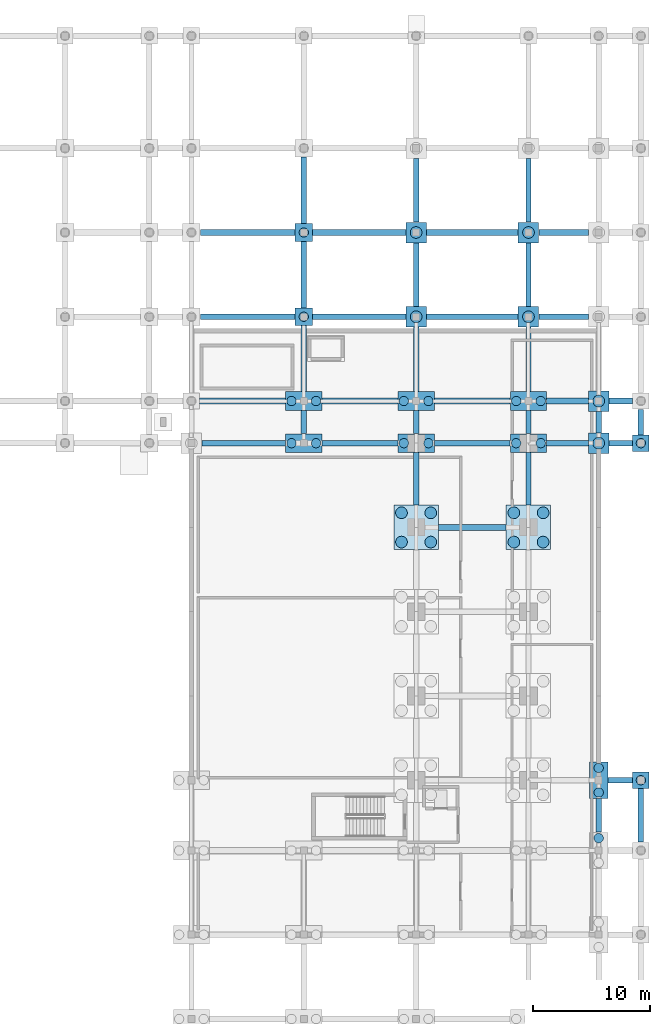
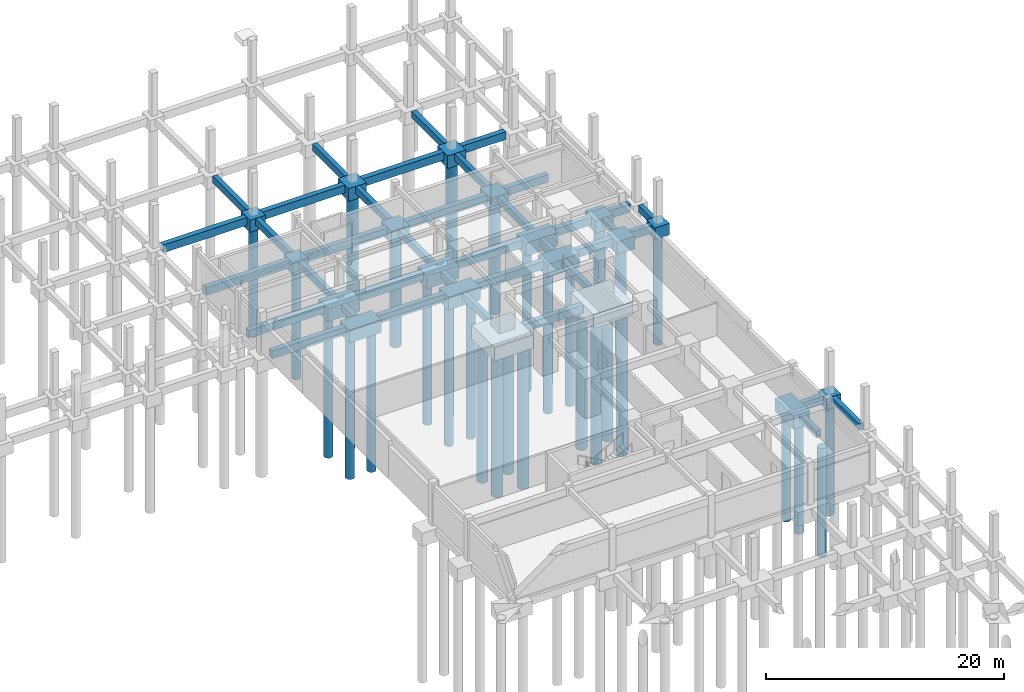
# One storey, part 10 of 20: 57 footings, 33 piles.
"""IFC4 building model written with IfcOpenShell, lengths in metres."""

import ifcopenshell
import ifcopenshell.guid

model = None  # the IFC model being written
_history = None  # IfcOwnerHistory: only IFC2X3 demands one
_inside = {}  # id of a spatial element -> (the spatial element, [elements in it])
_under = {}  # id of a project, library or spatial element -> (it, [spatial elements below it])
_declared = {}  # id of a project -> (the project, [libraries it declares])
_typed = {}  # id of a type object -> (the type object, [elements of that type])
_made_of = {}  # id of a material, layer set ... -> (it, [elements and type objects made of it])


def new_model(schema):
    """Start an empty IFC model of exactly this schema.

    Asked for "IFC4X3", IfcOpenShell would pick the latest addendum, in which some entities
    have other attributes; the version numbers below select the first issue.
    IFC2X3 requires an IfcOwnerHistory on every rooted entity: one is made here for all.
    """
    global model, _history
    if schema == "IFC4X3":
        model = ifcopenshell.file(schema_version=(4, 3, 0, 0))
    else:
        model = ifcopenshell.file(schema=schema)
    _inside.clear()
    _under.clear()
    _declared.clear()
    _typed.clear()
    _made_of.clear()
    _history = None
    if model.schema == "IFC2X3":
        org = make("IfcOrganization", Name="unknown")
        user = make(
            "IfcPersonAndOrganization",
            ThePerson=make("IfcPerson", FamilyName="unknown"),
            TheOrganization=org,
        )
        app = make(
            "IfcApplication",
            ApplicationDeveloper=org,
            Version="unknown",
            ApplicationFullName="unknown",
            ApplicationIdentifier="unknown",
        )
        _history = make(
            "IfcOwnerHistory",
            OwningUser=user,
            OwningApplication=app,
            ChangeAction="ADDED",
            CreationDate=0,
        )
    return model


def make(cls, **values):
    """One entity of the class cls with the attributes given. An attribute that is None is left unset."""
    return model.create_entity(
        cls, **{name: value for name, value in values.items() if value is not None}
    )


def rooted(cls, **values):
    """An entity with a GlobalId (a new one), such as an element, a storey or a relation."""
    return make(cls, GlobalId=ifcopenshell.guid.new(), OwnerHistory=_history, **values)


def si_unit(unit_type, name, prefix=None):
    """IfcSIUnit, for example si_unit("LENGTHUNIT", "METRE", prefix="MILLI")."""
    return make("IfcSIUnit", UnitType=unit_type, Prefix=prefix, Name=name)


def assignment(units):
    """IfcUnitAssignment: the units of a project."""
    return None if units is None else make("IfcUnitAssignment", Units=units)


def point(xyz):
    """IfcCartesianPoint."""
    return None if xyz is None else make("IfcCartesianPoint", Coordinates=xyz)


def direction(xyz):
    """IfcDirection."""
    return None if xyz is None else make("IfcDirection", DirectionRatios=xyz)


def frame(location, z_axis=None, x_axis=None):
    """IfcAxis2Placement3D, a coordinate frame: its origin and axes. An axis left out is left unset."""
    return make(
        "IfcAxis2Placement3D",
        Location=point(location),
        Axis=direction(z_axis),
        RefDirection=direction(x_axis),
    )


def frame_2d(location, x_axis=None):
    """IfcAxis2Placement2D, a coordinate frame in the plane: its origin and x axis."""
    return make(
        "IfcAxis2Placement2D", Location=point(location), RefDirection=direction(x_axis)
    )


def origin():
    """The frame at (0, 0, 0) with its axes left unset."""
    return frame((0.0, 0.0, 0.0))


def origin_2d():
    """The frame at (0, 0) in the plane with its x axis left unset."""
    return frame_2d((0.0, 0.0))


def place(relative_to, where):
    """IfcLocalPlacement: puts the frame where relative to a parent placement (None: the world)."""
    return make(
        "IfcLocalPlacement", PlacementRelTo=relative_to, RelativePlacement=where
    )


def context(
    kind, dimensions, precision=None, world=None, true_north=None, identifier=None
):
    """IfcGeometricRepresentationContext, for example the 3D "Model" context."""
    return make(
        "IfcGeometricRepresentationContext",
        ContextIdentifier=identifier,
        ContextType=kind,
        CoordinateSpaceDimension=dimensions,
        Precision=precision,
        WorldCoordinateSystem=world,
        TrueNorth=true_north,
    )


def subcontext(parent, identifier, kind, view, scale=None):
    """IfcGeometricRepresentationSubContext, for example "Body" below "Model"."""
    return make(
        "IfcGeometricRepresentationSubContext",
        ContextIdentifier=identifier,
        ContextType=kind,
        ParentContext=parent,
        TargetScale=scale,
        TargetView=view,
    )


def project(units=None, contexts=None):
    """IfcProject with its units and contexts."""
    return rooted(
        "IfcProject",
        Name="project",
        RepresentationContexts=contexts,
        UnitsInContext=assignment(units),
    )


def spatial(cls, under=None, at=None, **own):
    """A site, building, storey or space (cls), placed at a placement, below another one or the project."""
    s = rooted(cls, ObjectPlacement=at, **own)
    if under is not None:
        _under.setdefault(under.id(), (under, []))[1].append(s)
    return s


def polyline(points):
    """IfcPolyline through the points."""
    return make("IfcPolyline", Points=[point(p) for p in points])


def profile(cls, at=None, kind="AREA", **sizes):
    """A parametric profile (cls). Its sizes go by their IFC names, for example OverallWidth=200.0."""
    return make(cls, ProfileType=kind, Position=at, **sizes)


def rectangle(**sizes):
    """IfcRectangleProfileDef."""
    return profile("IfcRectangleProfileDef", **sizes)


def circle(**sizes):
    """IfcCircleProfileDef."""
    return profile("IfcCircleProfileDef", **sizes)


def outline(outer, holes=None, kind="AREA"):
    """IfcArbitraryClosedProfileDef: a profile drawn as a closed curve; with holes, ...WithVoids."""
    if holes is None:
        return make("IfcArbitraryClosedProfileDef", ProfileType=kind, OuterCurve=outer)
    return make(
        "IfcArbitraryProfileDefWithVoids",
        ProfileType=kind,
        OuterCurve=outer,
        InnerCurves=holes,
    )


def extrude(swept, where, along, depth):
    """IfcExtrudedAreaSolid: the profile swept, set in the frame where, extruded along a direction by depth."""
    return make(
        "IfcExtrudedAreaSolid",
        SweptArea=swept,
        Position=where,
        ExtrudedDirection=direction(along),
        Depth=depth,
    )


def shape(context_of_items, identifier, shape_type, items):
    """IfcShapeRepresentation: the items that make up one representation, for example the "Body"."""
    return make(
        "IfcShapeRepresentation",
        ContextOfItems=context_of_items,
        RepresentationIdentifier=identifier,
        RepresentationType=shape_type,
        Items=items,
    )


def material(Name=None, Category=None):
    """IfcMaterial."""
    return make("IfcMaterial", Name=Name, Category=Category)


def material_profile(
    of_material, cross_section, Name=None, Category=None, Priority=None
):
    """IfcMaterialProfile: a cross section and its material."""
    return make(
        "IfcMaterialProfile",
        Name=Name,
        Material=of_material,
        Profile=cross_section,
        Priority=Priority,
        Category=Category,
    )


def profile_set(profiles, Name=None, composite=None):
    """IfcMaterialProfileSet."""
    return make(
        "IfcMaterialProfileSet",
        Name=Name,
        MaterialProfiles=profiles,
        CompositeProfile=composite,
    )


def made_of(thing, what):
    """Note that an element or type object is made of a material, layer set ...; save() writes the relation."""
    if what is not None:
        _made_of.setdefault(what.id(), (what, []))[1].append(thing)
    return thing


def type_object(cls, material=None, **own):
    """A type object (cls), such as IfcWallType, which elements share."""
    return made_of(rooted(cls, **own), material)


def element(
    cls,
    number,
    at=None,
    inside=None,
    cuts=None,
    type_object=None,
    material=None,
    context=None,
    identifier="Body",
    shape_type=None,
    held_by="IfcProductDefinitionShape",
    body=None,
    shapes=None,
    **own,
):
    """One element of the class cls, such as IfcWall. Its Tag is "e" and its number.

    at: its placement. inside: the storey or other place that contains it. cuts: it is an
    opening in that element (IfcRelVoidsElement). A single representation is given by context,
    identifier, shape_type and body (its items); several are given by shapes. held_by: the class
    of the entity that holds the representations. save() writes the other relations.
    """
    e = rooted(cls, Tag="e%d" % number, ObjectPlacement=at, **own)
    if body is not None:
        shapes = [shape(context, identifier, shape_type, body)]
    if shapes is not None:
        e.Representation = make(held_by, Representations=shapes)
    if inside is not None:
        _inside.setdefault(inside.id(), (inside, []))[1].append(e)
    if cuts is not None:
        rooted(
            "IfcRelVoidsElement", RelatingBuildingElement=cuts, RelatedOpeningElement=e
        )
    if type_object is not None:
        _typed.setdefault(type_object.id(), (type_object, []))[1].append(e)
    return made_of(e, material)


def aggregate(whole, parts):
    """IfcRelAggregates: a whole, such as a stair, and the parts it consists of."""
    return rooted("IfcRelAggregates", RelatingObject=whole, RelatedObjects=parts)


def save(model, path):
    """Write the relations noted so far, then the file.

    IfcRelAggregates (storeys below a building ...), IfcRelContainedInSpatialStructure (elements
    in a storey), IfcRelDefinesByType, IfcRelAssociatesMaterial and IfcRelDeclares: one each for
    every whole, place, type object, material and project.
    """
    for whole, parts in _under.values():
        aggregate(whole, parts)
    for where, things in _inside.values():
        rooted(
            "IfcRelContainedInSpatialStructure",
            RelatedElements=things,
            RelatingStructure=where,
        )
    for kind, things in _typed.values():
        rooted("IfcRelDefinesByType", RelatedObjects=things, RelatingType=kind)
    for what, things in _made_of.values():
        rooted("IfcRelAssociatesMaterial", RelatedObjects=things, RelatingMaterial=what)
    for by, libraries in _declared.values():
        rooted("IfcRelDeclares", RelatingContext=by, RelatedDefinitions=libraries)
    model.write(path)


model = new_model("IFC4")

# Units and contexts
model_context = context("Model", 3, precision=1e-05, world=origin(), true_north=direction((0.0, 1.0)))
body_context = subcontext(model_context, "Body", "Model", "MODEL_VIEW")
ifc_project = project(units=[si_unit("LENGTHUNIT", "METRE"), si_unit("AREAUNIT", "SQUARE_METRE"), si_unit("VOLUMEUNIT", "CUBIC_METRE"), si_unit("PLANEANGLEUNIT", "RADIAN"), si_unit("MASSUNIT", "GRAM", prefix="KILO")], contexts=[model_context])

# Site, building, storey
site_placement = place(None, origin())
site = spatial("IfcSite", under=ifc_project, at=site_placement, CompositionType="ELEMENT")
building_placement = place(site_placement, origin())
building = spatial("IfcBuilding", under=site, at=building_placement, Name="Nzembalo Square Collegiate School", CompositionType="ELEMENT")
storey_placement = place(building_placement, frame((0.0, 0.0, -4.080078125)))
storey = spatial("IfcBuildingStorey", under=building, at=storey_placement, Name="B1", CompositionType="ELEMENT", Elevation=-4.080078125)

# Footings
ifc_material_1 = material(Name="Concrete C35/45", Category="concrete")
footing_type_1 = type_object("IfcFootingType", Name="PC01", PredefinedType="PILE_CAP", material=ifc_material_1)
for number, where, z_axis, x_axis, name in (
    (1, (150.0, 72.0, -1.699951171875), (0.0, 0.0, 1.0), (1.0, 0.0, 0.0), "Pile cap PC01 at 22/K"),
    (2, (159.60009765625, 72.0, -1.699951171875), (0.0, 0.0, 1.0), (1.0, 0.0, 0.0), "Pile cap PC01 at 23/K"),
):
    element("IfcFooting", number, at=place(storey_placement, frame(where, z_axis=z_axis, x_axis=x_axis)), inside=storey, type_object=footing_type_1, Name=name, PredefinedType="PILE_CAP", context=body_context, shape_type="SweptSolid", body=[
        extrude(rectangle(XDim=3.800048828125, YDim=3.800048828125, at=origin_2d()), origin(), (0.0, 0.0, 1.0), 1.39990234375),
    ])
ifc_material_2 = material(Name="Concrete C35/45", Category="concrete")
footing_type_2 = type_object("IfcFootingType", Name="PC03", PredefinedType="PILE_CAP", material=ifc_material_2)
for number, where, z_axis, x_axis, name in (
    (3, (140.39990234375, 79.199951171875, -1.64990234375), (0.0, 0.0, 1.0), (1.0, 0.0, 0.0), "Pile cap PC03 at 21/L"),
    (4, (140.39990234375, 82.800048828125, -1.64990234375), (0.0, 0.0, 1.0), (1.0, 0.0, 0.0), "Pile cap PC03 at 21/M"),
    (5, (150.0, 79.199951171875, -1.64990234375), (0.0, 0.0, 1.0), (1.0, 0.0, 0.0), "Pile cap PC03 at 22/L"),
    (6, (150.0, 82.800048828125, -1.64990234375), (0.0, 0.0, 1.0), (1.0, 0.0, 0.0), "Pile cap PC03 at 22/M"),
    (7, (159.60009765625, 79.199951171875, -1.64990234375), (0.0, 0.0, 1.0), (1.0, 0.0, 0.0), "Pile cap PC03 at 23/L"),
    (8, (159.60009765625, 82.800048828125, -1.64990234375), (0.0, 0.0, 1.0), (1.0, 0.0, 0.0), "Pile cap PC03 at 23/M"),
):
    element("IfcFooting", number, at=place(storey_placement, frame(where, z_axis=z_axis, x_axis=x_axis)), inside=storey, type_object=footing_type_2, Name=name, PredefinedType="PILE_CAP", context=body_context, shape_type="SweptSolid", body=[
        extrude(rectangle(XDim=3.10009765625, YDim=1.60009765625, at=origin_2d()), origin(), (0.0, 0.0, 1.0), 1.35009765625),
    ])
ifc_material_3 = material(Name="Concrete C35/45", Category="concrete")
footing_type_3 = type_object("IfcFootingType", Name="PC04", PredefinedType="PILE_CAP", material=ifc_material_3)
footing_1_placement = place(storey_placement, frame((165.60009765625, 50.39990234375, -1.64990234375), z_axis=(0.0, 0.0, 1.0), x_axis=(1.0, 0.0, 0.0)))
element("IfcFooting", 9, at=footing_1_placement, inside=storey, type_object=footing_type_3, Name="Pile cap PC04 at 24/H", PredefinedType="PILE_CAP", context=body_context, shape_type="SweptSolid", body=[
    extrude(rectangle(XDim=1.60009765625, YDim=3.10009765625, at=origin_2d()), origin(), (0.0, 0.0, 1.0), 1.35009765625),
])
ifc_material_4 = material(Name="Concrete C35/45", Category="concrete")
footing_type_4 = type_object("IfcFootingType", Name="PC05", PredefinedType="PILE_CAP", material=ifc_material_4)
for number, where, z_axis, x_axis, name in (
    (10, (150.0, 90.0, -1.60009765625), (0.0, 0.0, 1.0), (1.0, 0.0, 0.0), "Pile cap PC05 at 22/N"),
    (11, (150.0, 97.199951171875, -1.60009765625), (0.0, 0.0, 1.0), (1.0, 0.0, 0.0), "Pile cap PC05 at 22/O"),
    (12, (159.60009765625, 90.0, -1.60009765625), (0.0, 0.0, 1.0), (1.0, 0.0, 0.0), "Pile cap PC05 at 23/N"),
    (13, (159.60009765625, 97.199951171875, -1.60009765625), (0.0, 0.0, 1.0), (1.0, 0.0, 0.0), "Pile cap PC05 at 23/O"),
    (14, (165.60009765625, 79.199951171875, -1.60009765625), (0.0, 0.0, 1.0), (1.0, 0.0, 0.0), "Pile cap PC05 at 24/L"),
    (15, (165.60009765625, 82.800048828125, -1.60009765625), (0.0, 0.0, 1.0), (1.0, 0.0, 0.0), "Pile cap PC05 at 24/M"),
):
    element("IfcFooting", number, at=place(storey_placement, frame(where, z_axis=z_axis, x_axis=x_axis)), inside=storey, type_object=footing_type_4, Name=name, PredefinedType="PILE_CAP", context=body_context, shape_type="SweptSolid", body=[
        extrude(rectangle(XDim=1.75, YDim=1.75, at=origin_2d()), origin(), (0.0, 0.0, 1.0), 1.300048828125),
    ])
ifc_material_5 = material(Name="Concrete C35/45", Category="concrete")
footing_type_5 = type_object("IfcFootingType", Name="PC06", PredefinedType="PILE_CAP", material=ifc_material_5)
for number, where, z_axis, x_axis, name in (
    (16, (140.39990234375, 90.0, -1.5498046875), (0.0, 0.0, 1.0), (1.0, 0.0, 0.0), "Pile cap PC06 at 21/N"),
    (17, (140.39990234375, 97.199951171875, -1.5498046875), (0.0, 0.0, 1.0), (1.0, 0.0, 0.0), "Pile cap PC06 at 21/O"),
):
    element("IfcFooting", number, at=place(storey_placement, frame(where, z_axis=z_axis, x_axis=x_axis)), inside=storey, type_object=footing_type_5, Name=name, PredefinedType="PILE_CAP", context=body_context, shape_type="SweptSolid", body=[
        extrude(rectangle(XDim=1.5, YDim=1.5, at=origin_2d()), origin(), (0.0, 0.0, 1.0), 1.25),
    ])
ifc_material_6 = material(Name="Concrete C35/45", Category="concrete")
footing_type_6 = type_object("IfcFootingType", Name="PC07", PredefinedType="PILE_CAP", material=ifc_material_6)
for number, where, z_axis, x_axis, name in (
    (18, (169.199951171875, 50.39990234375, -1.5), (0.0, 0.0, 1.0), (1.0, 0.0, 0.0), "Pile cap PC07 at 25/H"),
    (19, (169.199951171875, 79.199951171875, -1.5), (0.0, 0.0, 1.0), (1.0, 0.0, 0.0), "Pile cap PC07 at 25/L"),
):
    element("IfcFooting", number, at=place(storey_placement, frame(where, z_axis=z_axis, x_axis=x_axis)), inside=storey, type_object=footing_type_6, Name=name, PredefinedType="PILE_CAP", context=body_context, shape_type="SweptSolid", body=[
        extrude(rectangle(XDim=1.39990234375, YDim=1.39990234375, at=origin_2d()), origin(), (0.0, 0.0, 1.0), 1.199951171875),
    ])
ifc_material_7 = material(Name="Concrete C30/37", Category="concrete")
footing_type_7 = type_object("IfcFootingType", Name="FG01", PredefinedType="FOOTING_BEAM", material=ifc_material_7)
footing_2_placement = place(storey_placement, frame((0.0, 0.0, -1.099853515625)))
element("IfcFooting", 20, at=footing_2_placement, inside=storey, type_object=footing_type_7, Name="Ground beam FG01 24-25/H", PredefinedType="FOOTING_BEAM", context=body_context, shape_type="SweptSolid", body=[
    extrude(outline(polyline([(166.409912109375, 50.14990234375), (168.489990234375, 50.14990234375), (168.489990234375, 50.64990234375), (166.409912109375, 50.64990234375), (166.409912109375, 50.14990234375)])), origin(), (0.0, 0.0, 1.0), 0.800048828125),
])
footing_3_placement = place(storey_placement, frame((0.0, 0.0, -1.099853515625)))
element("IfcFooting", 21, at=footing_3_placement, inside=storey, type_object=footing_type_7, Name="Ground beam FG01 22-23/K", PredefinedType="FOOTING_BEAM", context=body_context, shape_type="SweptSolid", body=[
    extrude(outline(polyline([(151.909912109375, 71.75), (157.68994140625, 71.75), (157.68994140625, 72.25), (151.909912109375, 72.25), (151.909912109375, 71.75)])), origin(), (0.0, 0.0, 1.0), 0.800048828125),
])
footing_4_placement = place(storey_placement, frame((0.0, 0.0, -1.099853515625)))
element("IfcFooting", 22, at=footing_4_placement, inside=storey, type_object=footing_type_7, Name="Ground beam FG01 20-21/L", PredefinedType="FOOTING_BEAM", context=body_context, shape_type="SweptSolid", body=[
    extrude(outline(polyline([(131.68505859375, 78.949951171875), (138.840087890625, 78.949951171875), (138.840087890625, 79.449951171875), (131.68505859375, 79.449951171875), (131.68505859375, 78.949951171875)])), origin(), (0.0, 0.0, 1.0), 0.800048828125),
])
footing_5_placement = place(storey_placement, frame((0.0, 0.0, -1.099853515625)))
element("IfcFooting", 23, at=footing_5_placement, inside=storey, type_object=footing_type_7, Name="Ground beam FG01 21-22/L", PredefinedType="FOOTING_BEAM", context=body_context, shape_type="SweptSolid", body=[
    extrude(outline(polyline([(141.9599609375, 78.949951171875), (148.43994140625, 78.949951171875), (148.43994140625, 79.449951171875), (141.9599609375, 79.449951171875), (141.9599609375, 78.949951171875)])), origin(), (0.0, 0.0, 1.0), 0.800048828125),
])
footing_6_placement = place(storey_placement, frame((0.0, 0.0, -1.099853515625)))
element("IfcFooting", 24, at=footing_6_placement, inside=storey, type_object=footing_type_7, Name="Ground beam FG01 22-23/L", PredefinedType="FOOTING_BEAM", context=body_context, shape_type="SweptSolid", body=[
    extrude(outline(polyline([(151.56005859375, 78.949951171875), (158.0400390625, 78.949951171875), (158.0400390625, 79.449951171875), (151.56005859375, 79.449951171875), (151.56005859375, 78.949951171875)])), origin(), (0.0, 0.0, 1.0), 0.800048828125),
])
footing_7_placement = place(storey_placement, frame((0.0, 0.0, -1.099853515625)))
element("IfcFooting", 25, at=footing_7_placement, inside=storey, type_object=footing_type_7, Name="Ground beam FG01 23-24/L", PredefinedType="FOOTING_BEAM", context=body_context, shape_type="SweptSolid", body=[
    extrude(outline(polyline([(161.159912109375, 78.949951171875), (164.715087890625, 78.949951171875), (164.715087890625, 79.449951171875), (161.159912109375, 79.449951171875), (161.159912109375, 78.949951171875)])), origin(), (0.0, 0.0, 1.0), 0.800048828125),
])
footing_8_placement = place(storey_placement, frame((0.0, 0.0, -1.099853515625)))
element("IfcFooting", 26, at=footing_8_placement, inside=storey, type_object=footing_type_7, Name="Ground beam FG01 24-25/L", PredefinedType="FOOTING_BEAM", context=body_context, shape_type="SweptSolid", body=[
    extrude(outline(polyline([(166.485107421875, 78.949951171875), (168.489990234375, 78.949951171875), (168.489990234375, 79.449951171875), (166.485107421875, 79.449951171875), (166.485107421875, 78.949951171875)])), origin(), (0.0, 0.0, 1.0), 0.800048828125),
])
footing_9_placement = place(storey_placement, frame((0.0, 0.0, -1.099853515625)))
element("IfcFooting", 27, at=footing_9_placement, inside=storey, type_object=footing_type_7, Name="Ground beam FG01 20-21/M", PredefinedType="FOOTING_BEAM", context=body_context, shape_type="SweptSolid", body=[
    extrude(outline(polyline([(131.510009765625, 82.550048828125), (138.840087890625, 82.550048828125), (138.840087890625, 83.050048828125), (131.510009765625, 83.050048828125), (131.510009765625, 82.550048828125)])), origin(), (0.0, 0.0, 1.0), 0.800048828125),
])
footing_10_placement = place(storey_placement, frame((0.0, 0.0, -1.099853515625)))
element("IfcFooting", 28, at=footing_10_placement, inside=storey, type_object=footing_type_7, Name="Ground beam FG01 21-22/M", PredefinedType="FOOTING_BEAM", context=body_context, shape_type="SweptSolid", body=[
    extrude(outline(polyline([(141.9599609375, 82.550048828125), (148.43994140625, 82.550048828125), (148.43994140625, 83.050048828125), (141.9599609375, 83.050048828125), (141.9599609375, 82.550048828125)])), origin(), (0.0, 0.0, 1.0), 0.800048828125),
])
footing_11_placement = place(storey_placement, frame((0.0, 0.0, -1.099853515625)))
element("IfcFooting", 29, at=footing_11_placement, inside=storey, type_object=footing_type_7, Name="Ground beam FG01 22-23/M", PredefinedType="FOOTING_BEAM", context=body_context, shape_type="SweptSolid", body=[
    extrude(outline(polyline([(151.56005859375, 82.550048828125), (158.0400390625, 82.550048828125), (158.0400390625, 83.050048828125), (151.56005859375, 83.050048828125), (151.56005859375, 82.550048828125)])), origin(), (0.0, 0.0, 1.0), 0.800048828125),
])
footing_12_placement = place(storey_placement, frame((0.0, 0.0, -1.099853515625)))
element("IfcFooting", 30, at=footing_12_placement, inside=storey, type_object=footing_type_7, Name="Ground beam FG01 23-24/M", PredefinedType="FOOTING_BEAM", context=body_context, shape_type="SweptSolid", body=[
    extrude(outline(polyline([(161.159912109375, 82.550048828125), (164.715087890625, 82.550048828125), (164.715087890625, 83.050048828125), (161.159912109375, 83.050048828125), (161.159912109375, 82.550048828125)])), origin(), (0.0, 0.0, 1.0), 0.800048828125),
])
footing_13_placement = place(storey_placement, frame((0.0, 0.0, -1.099853515625)))
element("IfcFooting", 31, at=footing_13_placement, inside=storey, type_object=footing_type_7, Name="Ground beam FG01 24-25/M", PredefinedType="FOOTING_BEAM", context=body_context, shape_type="SweptSolid", body=[
    extrude(outline(polyline([(166.485107421875, 82.550048828125), (168.489990234375, 82.550048828125), (168.489990234375, 83.050048828125), (166.485107421875, 83.050048828125), (166.485107421875, 82.550048828125)])), origin(), (0.0, 0.0, 1.0), 0.800048828125),
])
footing_14_placement = place(storey_placement, frame((0.0, 0.0, -1.099853515625)))
element("IfcFooting", 32, at=footing_14_placement, inside=storey, type_object=footing_type_7, Name="Ground beam FG01 20-21/N", PredefinedType="FOOTING_BEAM", context=body_context, shape_type="SweptSolid", body=[
    extrude(outline(polyline([(131.56005859375, 89.75), (139.639892578125, 89.75), (139.639892578125, 90.25), (131.56005859375, 90.25), (131.56005859375, 89.75)])), origin(), (0.0, 0.0, 1.0), 0.800048828125),
])
footing_15_placement = place(storey_placement, frame((0.0, 0.0, -1.099853515625)))
element("IfcFooting", 33, at=footing_15_placement, inside=storey, type_object=footing_type_7, Name="Ground beam FG01 21-22/N", PredefinedType="FOOTING_BEAM", context=body_context, shape_type="SweptSolid", body=[
    extrude(outline(polyline([(141.159912109375, 89.75), (149.114990234375, 89.75), (149.114990234375, 90.25), (141.159912109375, 90.25), (141.159912109375, 89.75)])), origin(), (0.0, 0.0, 1.0), 0.800048828125),
])
footing_16_placement = place(storey_placement, frame((0.0, 0.0, -1.099853515625)))
element("IfcFooting", 34, at=footing_16_placement, inside=storey, type_object=footing_type_7, Name="Ground beam FG01 22-23/N", PredefinedType="FOOTING_BEAM", context=body_context, shape_type="SweptSolid", body=[
    extrude(outline(polyline([(150.885009765625, 89.75), (158.715087890625, 89.75), (158.715087890625, 90.25), (150.885009765625, 90.25), (150.885009765625, 89.75)])), origin(), (0.0, 0.0, 1.0), 0.800048828125),
])
footing_17_placement = place(storey_placement, frame((0.0, 0.0, -1.099853515625)))
element("IfcFooting", 35, at=footing_17_placement, inside=storey, type_object=footing_type_7, Name="Ground beam FG01 23-24/N", PredefinedType="FOOTING_BEAM", context=body_context, shape_type="SweptSolid", body=[
    extrude(outline(polyline([(160.485107421875, 89.75), (164.715087890625, 89.75), (164.715087890625, 90.25), (160.485107421875, 90.25), (160.485107421875, 89.75)])), origin(), (0.0, 0.0, 1.0), 0.800048828125),
])
footing_18_placement = place(storey_placement, frame((0.0, 0.0, -1.099853515625)))
element("IfcFooting", 36, at=footing_18_placement, inside=storey, type_object=footing_type_7, Name="Ground beam FG01 20-21/O", PredefinedType="FOOTING_BEAM", context=body_context, shape_type="SweptSolid", body=[
    extrude(outline(polyline([(131.56005859375, 96.949951171875), (139.639892578125, 96.949951171875), (139.639892578125, 97.449951171875), (131.56005859375, 97.449951171875), (131.56005859375, 96.949951171875)])), origin(), (0.0, 0.0, 1.0), 0.800048828125),
])
footing_19_placement = place(storey_placement, frame((0.0, 0.0, -1.099853515625)))
element("IfcFooting", 37, at=footing_19_placement, inside=storey, type_object=footing_type_7, Name="Ground beam FG01 21-22/O", PredefinedType="FOOTING_BEAM", context=body_context, shape_type="SweptSolid", body=[
    extrude(outline(polyline([(141.159912109375, 96.949951171875), (149.114990234375, 96.949951171875), (149.114990234375, 97.449951171875), (141.159912109375, 97.449951171875), (141.159912109375, 96.949951171875)])), origin(), (0.0, 0.0, 1.0), 0.800048828125),
])
footing_20_placement = place(storey_placement, frame((0.0, 0.0, -1.099853515625)))
element("IfcFooting", 38, at=footing_20_placement, inside=storey, type_object=footing_type_7, Name="Ground beam FG01 22-23/O", PredefinedType="FOOTING_BEAM", context=body_context, shape_type="SweptSolid", body=[
    extrude(outline(polyline([(150.885009765625, 96.949951171875), (158.715087890625, 96.949951171875), (158.715087890625, 97.449951171875), (150.885009765625, 97.449951171875), (150.885009765625, 96.949951171875)])), origin(), (0.0, 0.0, 1.0), 0.800048828125),
])
footing_21_placement = place(storey_placement, frame((0.0, 0.0, -1.099853515625)))
element("IfcFooting", 39, at=footing_21_placement, inside=storey, type_object=footing_type_7, Name="Ground beam FG01 23-24/O", PredefinedType="FOOTING_BEAM", context=body_context, shape_type="SweptSolid", body=[
    extrude(outline(polyline([(160.485107421875, 96.949951171875), (164.715087890625, 96.949951171875), (164.715087890625, 97.449951171875), (160.485107421875, 97.449951171875), (160.485107421875, 96.949951171875)])), origin(), (0.0, 0.0, 1.0), 0.800048828125),
])
ifc_material_8 = material(Name="Concrete C30/37", Category="concrete")
footing_type_8 = type_object("IfcFootingType", Name="FG02", PredefinedType="FOOTING_BEAM", material=ifc_material_8)
footing_22_placement = place(storey_placement, frame((0.0, 0.0, -1.0)))
element("IfcFooting", 40, at=footing_22_placement, inside=storey, type_object=footing_type_8, Name="Ground beam FG02 21/L-M", PredefinedType="FOOTING_BEAM", context=body_context, shape_type="SweptSolid", body=[
    extrude(outline(polyline([(140.175048828125, 80.010009765625), (140.625, 80.010009765625), (140.625, 81.989990234375), (140.175048828125, 81.989990234375), (140.175048828125, 80.010009765625)])), origin(), (0.0, 0.0, 1.0), 0.7001953125),
])
footing_23_placement = place(storey_placement, frame((0.0, 0.0, -1.0)))
element("IfcFooting", 41, at=footing_23_placement, inside=storey, type_object=footing_type_8, Name="Ground beam FG02 21/M-N", PredefinedType="FOOTING_BEAM", context=body_context, shape_type="SweptSolid", body=[
    extrude(outline(polyline([(140.175048828125, 83.610107421875), (140.625, 83.610107421875), (140.625, 89.239990234375), (140.175048828125, 89.239990234375), (140.175048828125, 83.610107421875)])), origin(), (0.0, 0.0, 1.0), 0.7001953125),
])
footing_24_placement = place(storey_placement, frame((0.0, 0.0, -1.0)))
element("IfcFooting", 42, at=footing_24_placement, inside=storey, type_object=footing_type_8, Name="Ground beam FG02 21/N-O", PredefinedType="FOOTING_BEAM", context=body_context, shape_type="SweptSolid", body=[
    extrude(outline(polyline([(140.175048828125, 90.760009765625), (140.625, 90.760009765625), (140.625, 96.43994140625), (140.175048828125, 96.43994140625), (140.175048828125, 90.760009765625)])), origin(), (0.0, 0.0, 1.0), 0.7001953125),
])
footing_25_placement = place(storey_placement, frame((0.0, 0.0, -1.0)))
element("IfcFooting", 43, at=footing_25_placement, inside=storey, type_object=footing_type_8, Name="Ground beam FG02 21/O-P", PredefinedType="FOOTING_BEAM", context=body_context, shape_type="SweptSolid", body=[
    extrude(outline(polyline([(140.175048828125, 97.9599609375), (140.625, 97.9599609375), (140.625, 103.639892578125), (140.175048828125, 103.639892578125), (140.175048828125, 97.9599609375)])), origin(), (0.0, 0.0, 1.0), 0.7001953125),
])
footing_26_placement = place(storey_placement, frame((0.0, 0.0, -1.0)))
element("IfcFooting", 44, at=footing_26_placement, inside=storey, type_object=footing_type_8, Name="Ground beam FG02 22/K-L", PredefinedType="FOOTING_BEAM", context=body_context, shape_type="SweptSolid", body=[
    extrude(outline(polyline([(149.77490234375, 73.909912109375), (150.22509765625, 73.909912109375), (150.22509765625, 78.389892578125), (149.77490234375, 78.389892578125), (149.77490234375, 73.909912109375)])), origin(), (0.0, 0.0, 1.0), 0.7001953125),
])
footing_27_placement = place(storey_placement, frame((0.0, 0.0, -1.0)))
element("IfcFooting", 45, at=footing_27_placement, inside=storey, type_object=footing_type_8, Name="Ground beam FG02 22/L-M", PredefinedType="FOOTING_BEAM", context=body_context, shape_type="SweptSolid", body=[
    extrude(outline(polyline([(149.77490234375, 80.010009765625), (150.22509765625, 80.010009765625), (150.22509765625, 81.989990234375), (149.77490234375, 81.989990234375), (149.77490234375, 80.010009765625)])), origin(), (0.0, 0.0, 1.0), 0.7001953125),
])
footing_28_placement = place(storey_placement, frame((0.0, 0.0, -1.0)))
element("IfcFooting", 46, at=footing_28_placement, inside=storey, type_object=footing_type_8, Name="Ground beam FG02 22/M-N", PredefinedType="FOOTING_BEAM", context=body_context, shape_type="SweptSolid", body=[
    extrude(outline(polyline([(149.77490234375, 83.610107421875), (150.22509765625, 83.610107421875), (150.22509765625, 89.114990234375), (149.77490234375, 89.114990234375), (149.77490234375, 83.610107421875)])), origin(), (0.0, 0.0, 1.0), 0.7001953125),
])
footing_29_placement = place(storey_placement, frame((0.0, 0.0, -1.0)))
element("IfcFooting", 47, at=footing_29_placement, inside=storey, type_object=footing_type_8, Name="Ground beam FG02 22/N-O", PredefinedType="FOOTING_BEAM", context=body_context, shape_type="SweptSolid", body=[
    extrude(outline(polyline([(149.77490234375, 90.885009765625), (150.22509765625, 90.885009765625), (150.22509765625, 96.31494140625), (149.77490234375, 96.31494140625), (149.77490234375, 90.885009765625)])), origin(), (0.0, 0.0, 1.0), 0.7001953125),
])
footing_30_placement = place(storey_placement, frame((0.0, 0.0, -1.0)))
element("IfcFooting", 48, at=footing_30_placement, inside=storey, type_object=footing_type_8, Name="Ground beam FG02 22/O-P", PredefinedType="FOOTING_BEAM", context=body_context, shape_type="SweptSolid", body=[
    extrude(outline(polyline([(149.77490234375, 98.0849609375), (150.22509765625, 98.0849609375), (150.22509765625, 103.514892578125), (149.77490234375, 103.514892578125), (149.77490234375, 98.0849609375)])), origin(), (0.0, 0.0, 1.0), 0.7001953125),
])
footing_31_placement = place(storey_placement, frame((0.0, 0.0, -1.0)))
element("IfcFooting", 49, at=footing_31_placement, inside=storey, type_object=footing_type_8, Name="Ground beam FG02 23/K-L", PredefinedType="FOOTING_BEAM", context=body_context, shape_type="SweptSolid", body=[
    extrude(outline(polyline([(159.375, 73.909912109375), (159.824951171875, 73.909912109375), (159.824951171875, 78.389892578125), (159.375, 78.389892578125), (159.375, 73.909912109375)])), origin(), (0.0, 0.0, 1.0), 0.7001953125),
])
footing_32_placement = place(storey_placement, frame((0.0, 0.0, -1.0)))
element("IfcFooting", 50, at=footing_32_placement, inside=storey, type_object=footing_type_8, Name="Ground beam FG02 23/L-M", PredefinedType="FOOTING_BEAM", context=body_context, shape_type="SweptSolid", body=[
    extrude(outline(polyline([(159.375, 80.010009765625), (159.824951171875, 80.010009765625), (159.824951171875, 81.989990234375), (159.375, 81.989990234375), (159.375, 80.010009765625)])), origin(), (0.0, 0.0, 1.0), 0.7001953125),
])
footing_33_placement = place(storey_placement, frame((0.0, 0.0, -1.0)))
element("IfcFooting", 51, at=footing_33_placement, inside=storey, type_object=footing_type_8, Name="Ground beam FG02 23/M-N", PredefinedType="FOOTING_BEAM", context=body_context, shape_type="SweptSolid", body=[
    extrude(outline(polyline([(159.375, 83.610107421875), (159.824951171875, 83.610107421875), (159.824951171875, 89.114990234375), (159.375, 89.114990234375), (159.375, 83.610107421875)])), origin(), (0.0, 0.0, 1.0), 0.7001953125),
])
footing_34_placement = place(storey_placement, frame((0.0, 0.0, -1.0)))
element("IfcFooting", 52, at=footing_34_placement, inside=storey, type_object=footing_type_8, Name="Ground beam FG02 23/N-O", PredefinedType="FOOTING_BEAM", context=body_context, shape_type="SweptSolid", body=[
    extrude(outline(polyline([(159.375, 90.885009765625), (159.824951171875, 90.885009765625), (159.824951171875, 96.31494140625), (159.375, 96.31494140625), (159.375, 90.885009765625)])), origin(), (0.0, 0.0, 1.0), 0.7001953125),
])
footing_35_placement = place(storey_placement, frame((0.0, 0.0, -1.0)))
element("IfcFooting", 53, at=footing_35_placement, inside=storey, type_object=footing_type_8, Name="Ground beam FG02 23/O-P", PredefinedType="FOOTING_BEAM", context=body_context, shape_type="SweptSolid", body=[
    extrude(outline(polyline([(159.375, 98.0849609375), (159.824951171875, 98.0849609375), (159.824951171875, 103.514892578125), (159.375, 103.514892578125), (159.375, 98.0849609375)])), origin(), (0.0, 0.0, 1.0), 0.7001953125),
])
footing_36_placement = place(storey_placement, frame((0.0, 0.0, -1.0)))
element("IfcFooting", 54, at=footing_36_placement, inside=storey, type_object=footing_type_8, Name="Ground beam FG02 24/G-H", PredefinedType="FOOTING_BEAM", context=body_context, shape_type="SweptSolid", body=[
    extrude(outline(polyline([(165.375, 45.9599609375), (165.824951171875, 45.9599609375), (165.824951171875, 48.840087890625), (165.375, 48.840087890625), (165.375, 45.9599609375)])), origin(), (0.0, 0.0, 1.0), 0.7001953125),
])
footing_37_placement = place(storey_placement, frame((0.0, 0.0, -1.0)))
element("IfcFooting", 55, at=footing_37_placement, inside=storey, type_object=footing_type_8, Name="Ground beam FG02 24/L-M", PredefinedType="FOOTING_BEAM", context=body_context, shape_type="SweptSolid", body=[
    extrude(outline(polyline([(165.375, 80.0849609375), (165.824951171875, 80.0849609375), (165.824951171875, 81.9150390625), (165.375, 81.9150390625), (165.375, 80.0849609375)])), origin(), (0.0, 0.0, 1.0), 0.7001953125),
])
footing_38_placement = place(storey_placement, frame((0.0, 0.0, -1.0)))
element("IfcFooting", 56, at=footing_38_placement, inside=storey, type_object=footing_type_8, Name="Ground beam FG02 25/G-H", PredefinedType="FOOTING_BEAM", context=body_context, shape_type="SweptSolid", body=[
    extrude(outline(polyline([(168.97509765625, 45.110107421875), (169.425048828125, 45.110107421875), (169.425048828125, 49.68994140625), (168.97509765625, 49.68994140625), (168.97509765625, 45.110107421875)])), origin(), (0.0, 0.0, 1.0), 0.7001953125),
])
footing_39_placement = place(storey_placement, frame((0.0, 0.0, -1.0)))
element("IfcFooting", 57, at=footing_39_placement, inside=storey, type_object=footing_type_8, Name="Ground beam FG02 25/L-M", PredefinedType="FOOTING_BEAM", context=body_context, shape_type="SweptSolid", body=[
    extrude(outline(polyline([(168.97509765625, 79.909912109375), (169.425048828125, 79.909912109375), (169.425048828125, 82.090087890625), (168.97509765625, 82.090087890625), (168.97509765625, 79.909912109375)])), origin(), (0.0, 0.0, 1.0), 0.7001953125),
])

# Piles
ifc_material_9 = material(Name="Concrete C30/37", Category="concrete")
ifc_material_profile_1 = material_profile(ifc_material_9, circle(Radius=0.5, at=origin_2d()), Name="PILE D1000")
ifc_profile_set_1 = profile_set([ifc_material_profile_1], Name="Concrete C30/37")
pile_type_1 = type_object("IfcPileType", Name="P01", PredefinedType="BORED", material=ifc_profile_set_1)
for number, where, z_axis, x_axis, name in (
    (58, (148.75, 70.75, -1.599853515625), (0.0, 0.0, -1.0), (1.0, 0.0, 0.0), "Bored pile P01-148"),
    (59, (151.25, 70.75, -1.599853515625), (0.0, 0.0, -1.0), (1.0, 0.0, 0.0), "Bored pile P01-149"),
    (60, (148.75, 73.25, -1.599853515625), (0.0, 0.0, -1.0), (1.0, 0.0, 0.0), "Bored pile P01-150"),
    (61, (151.25, 73.25, -1.599853515625), (0.0, 0.0, -1.0), (1.0, 0.0, 0.0), "Bored pile P01-151"),
):
    element("IfcPile", number, at=place(storey_placement, frame(where, z_axis=z_axis, x_axis=x_axis)), inside=storey, type_object=pile_type_1, Name=name, PredefinedType="BORED", context=body_context, shape_type="SweptSolid", body=[
        extrude(circle(Radius=0.5, at=origin_2d()), origin(), (0.0, 0.0, 1.0), 14.39990234375),
    ])
for number, where, z_axis, x_axis, name in (
    (62, (150.0, 90.0, -1.5), (0.0, 0.0, -1.0), (1.0, 0.0, 0.0), "Bored pile P01-156"),
    (63, (150.0, 97.199951171875, -1.5), (0.0, 0.0, -1.0), (1.0, 0.0, 0.0), "Bored pile P01-157"),
):
    element("IfcPile", number, at=place(storey_placement, frame(where, z_axis=z_axis, x_axis=x_axis)), inside=storey, type_object=pile_type_1, Name=name, PredefinedType="BORED", context=body_context, shape_type="SweptSolid", body=[
        extrude(circle(Radius=0.5, at=origin_2d()), origin(), (0.0, 0.0, 1.0), 11.219970703125),
    ])
for number, where, z_axis, x_axis, name in (
    (64, (158.35009765625, 70.75, -1.599853515625), (0.0, 0.0, -1.0), (1.0, 0.0, 0.0), "Bored pile P01-185"),
    (65, (160.85009765625, 70.75, -1.599853515625), (0.0, 0.0, -1.0), (1.0, 0.0, 0.0), "Bored pile P01-186"),
    (66, (158.35009765625, 73.25, -1.599853515625), (0.0, 0.0, -1.0), (1.0, 0.0, 0.0), "Bored pile P01-187"),
    (67, (160.85009765625, 73.25, -1.599853515625), (0.0, 0.0, -1.0), (1.0, 0.0, 0.0), "Bored pile P01-188"),
):
    element("IfcPile", number, at=place(storey_placement, frame(where, z_axis=z_axis, x_axis=x_axis)), inside=storey, type_object=pile_type_1, Name=name, PredefinedType="BORED", context=body_context, shape_type="SweptSolid", body=[
        extrude(circle(Radius=0.5, at=origin_2d()), origin(), (0.0, 0.0, 1.0), 14.39990234375),
    ])
for number, where, z_axis, x_axis, name in (
    (68, (159.60009765625, 90.0, -1.5), (0.0, 0.0, -1.0), (1.0, 0.0, 0.0), "Bored pile P01-193"),
    (69, (159.60009765625, 97.199951171875, -1.5), (0.0, 0.0, -1.0), (1.0, 0.0, 0.0), "Bored pile P01-194"),
    (70, (165.60009765625, 79.199951171875, -1.5), (0.0, 0.0, -1.0), (1.0, 0.0, 0.0), "Bored pile P01-211"),
    (71, (165.60009765625, 82.800048828125, -1.5), (0.0, 0.0, -1.0), (1.0, 0.0, 0.0), "Bored pile P01-212"),
):
    element("IfcPile", number, at=place(storey_placement, frame(where, z_axis=z_axis, x_axis=x_axis)), inside=storey, type_object=pile_type_1, Name=name, PredefinedType="BORED", context=body_context, shape_type="SweptSolid", body=[
        extrude(circle(Radius=0.5, at=origin_2d()), origin(), (0.0, 0.0, 1.0), 11.219970703125),
    ])
ifc_material_10 = material(Name="Concrete C30/37", Category="concrete")
ifc_material_profile_2 = material_profile(ifc_material_10, circle(Radius=0.39990234375, at=origin_2d()), Name="PILE D800")
ifc_profile_set_2 = profile_set([ifc_material_profile_2], Name="Concrete C30/37")
pile_type_2 = type_object("IfcPileType", Name="P02", PredefinedType="BORED", material=ifc_profile_set_2)
for number, where, z_axis, x_axis, name in (
    (72, (139.35009765625, 79.199951171875, -1.5498046875), (0.0, 0.0, -1.0), (1.0, 0.0, 0.0), "Bored pile P02-115"),
    (73, (141.449951171875, 79.199951171875, -1.5498046875), (0.0, 0.0, -1.0), (1.0, 0.0, 0.0), "Bored pile P02-116"),
    (74, (139.35009765625, 82.800048828125, -1.5498046875), (0.0, 0.0, -1.0), (1.0, 0.0, 0.0), "Bored pile P02-117"),
    (75, (141.449951171875, 82.800048828125, -1.5498046875), (0.0, 0.0, -1.0), (1.0, 0.0, 0.0), "Bored pile P02-118"),
):
    element("IfcPile", number, at=place(storey_placement, frame(where, z_axis=z_axis, x_axis=x_axis)), inside=storey, type_object=pile_type_2, Name=name, PredefinedType="BORED", context=body_context, shape_type="SweptSolid", body=[
        extrude(circle(Radius=0.39990234375, at=origin_2d()), origin(), (0.0, 0.0, 1.0), 14.449951171875),
    ])
for number, where, z_axis, x_axis, name in (
    (76, (140.39990234375, 90.0, -1.449951171875), (0.0, 0.0, -1.0), (1.0, 0.0, 0.0), "Bored pile P02-119"),
    (77, (140.39990234375, 97.199951171875, -1.449951171875), (0.0, 0.0, -1.0), (1.0, 0.0, 0.0), "Bored pile P02-120"),
):
    element("IfcPile", number, at=place(storey_placement, frame(where, z_axis=z_axis, x_axis=x_axis)), inside=storey, type_object=pile_type_2, Name=name, PredefinedType="BORED", context=body_context, shape_type="SweptSolid", body=[
        extrude(circle(Radius=0.39990234375, at=origin_2d()), origin(), (0.0, 0.0, 1.0), 11.27001953125),
    ])
for number, where, z_axis, x_axis, name in (
    (78, (148.949951171875, 79.199951171875, -1.5498046875), (0.0, 0.0, -1.0), (1.0, 0.0, 0.0), "Bored pile P02-152"),
    (79, (151.050048828125, 79.199951171875, -1.5498046875), (0.0, 0.0, -1.0), (1.0, 0.0, 0.0), "Bored pile P02-153"),
    (80, (148.949951171875, 82.800048828125, -1.5498046875), (0.0, 0.0, -1.0), (1.0, 0.0, 0.0), "Bored pile P02-154"),
    (81, (151.050048828125, 82.800048828125, -1.5498046875), (0.0, 0.0, -1.0), (1.0, 0.0, 0.0), "Bored pile P02-155"),
    (82, (158.550048828125, 79.199951171875, -1.5498046875), (0.0, 0.0, -1.0), (1.0, 0.0, 0.0), "Bored pile P02-189"),
    (83, (160.64990234375, 79.199951171875, -1.5498046875), (0.0, 0.0, -1.0), (1.0, 0.0, 0.0), "Bored pile P02-190"),
    (84, (158.550048828125, 82.800048828125, -1.5498046875), (0.0, 0.0, -1.0), (1.0, 0.0, 0.0), "Bored pile P02-191"),
    (85, (160.64990234375, 82.800048828125, -1.5498046875), (0.0, 0.0, -1.0), (1.0, 0.0, 0.0), "Bored pile P02-192"),
):
    element("IfcPile", number, at=place(storey_placement, frame(where, z_axis=z_axis, x_axis=x_axis)), inside=storey, type_object=pile_type_2, Name=name, PredefinedType="BORED", context=body_context, shape_type="SweptSolid", body=[
        extrude(circle(Radius=0.39990234375, at=origin_2d()), origin(), (0.0, 0.0, 1.0), 14.449951171875),
    ])
for number, where, z_axis, x_axis, name in (
    (86, (165.60009765625, 45.449951171875, -1.5498046875), (0.0, 0.0, -1.0), (1.0, 0.0, 0.0), "Bored pile P02-208"),
    (87, (165.60009765625, 49.35009765625, -1.5498046875), (0.0, 0.0, -1.0), (1.0, 0.0, 0.0), "Bored pile P02-209"),
    (88, (165.60009765625, 51.449951171875, -1.5498046875), (0.0, 0.0, -1.0), (1.0, 0.0, 0.0), "Bored pile P02-210"),
):
    element("IfcPile", number, at=place(storey_placement, frame(where, z_axis=z_axis, x_axis=x_axis)), inside=storey, type_object=pile_type_2, Name=name, PredefinedType="BORED", context=body_context, shape_type="SweptSolid", body=[
        extrude(circle(Radius=0.39990234375, at=origin_2d()), origin(), (0.0, 0.0, 1.0), 11.169921875),
    ])
for number, where, z_axis, x_axis, name in (
    (89, (169.199951171875, 50.39990234375, -1.39990234375), (0.0, 0.0, -1.0), (1.0, 0.0, 0.0), "Bored pile P02-224"),
    (90, (169.199951171875, 79.199951171875, -1.39990234375), (0.0, 0.0, -1.0), (1.0, 0.0, 0.0), "Bored pile P02-225"),
):
    element("IfcPile", number, at=place(storey_placement, frame(where, z_axis=z_axis, x_axis=x_axis)), inside=storey, type_object=pile_type_2, Name=name, PredefinedType="BORED", context=body_context, shape_type="SweptSolid", body=[
        extrude(circle(Radius=0.39990234375, at=origin_2d()), origin(), (0.0, 0.0, 1.0), 11.320068359375),
    ])

save(model, "model.ifc")
